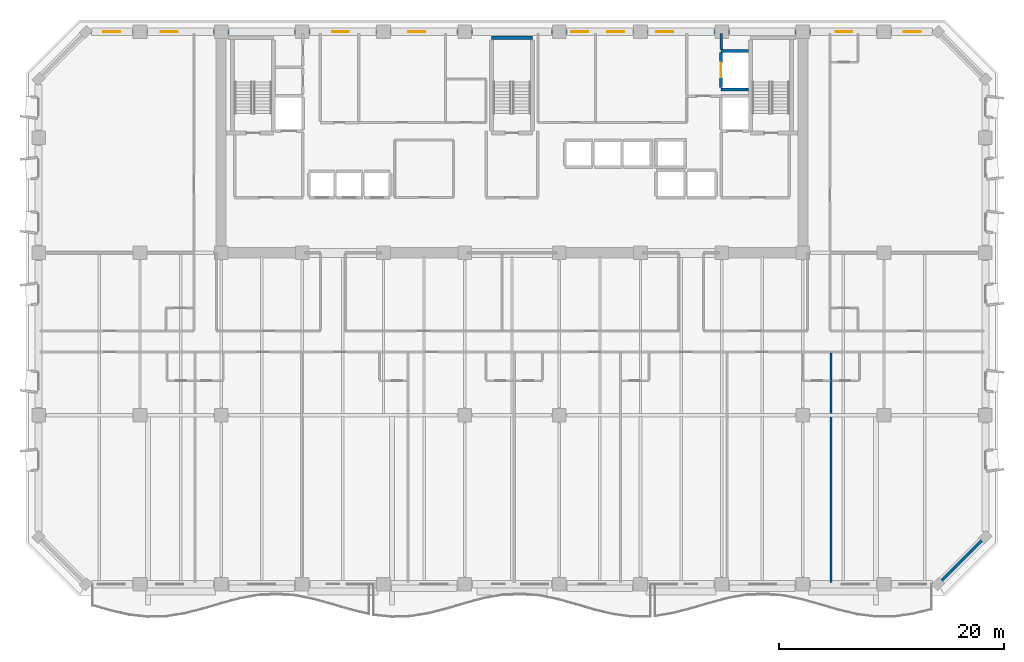
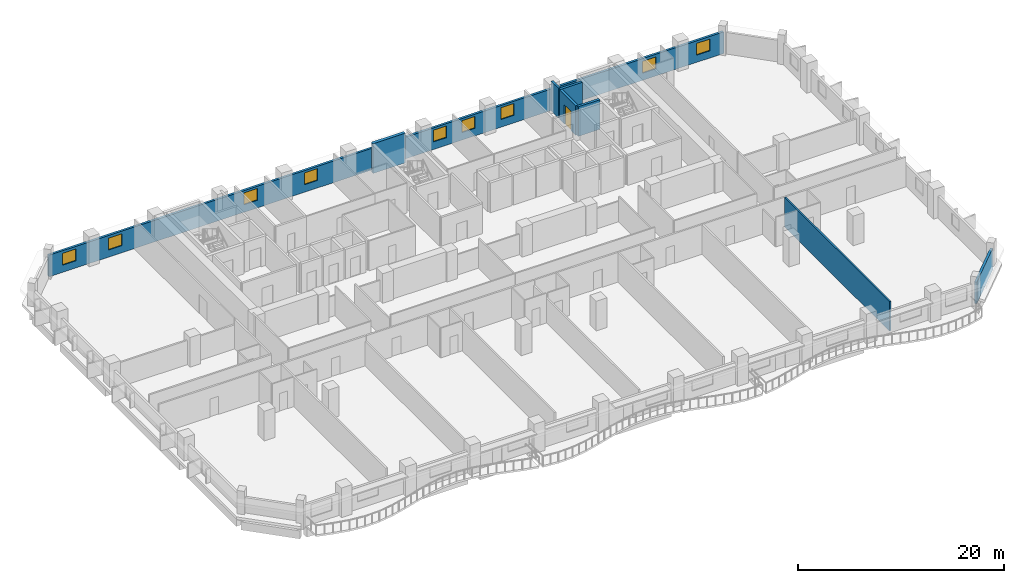
# One storey, part 8 of 14: 9 windows, 8 walls, 1 door, 10 openings.
"""IFC4 building model written with IfcOpenShell, lengths in metres."""

from ifc_helpers import new_model, si_unit, direction, frame, frame_2d, origin, place, context, subcontext, project, spatial, rectangle, extrude, material, layer, layer_set, type_object, element, fill, save


model = new_model("IFC4")

# Units and contexts
model_context = context("Model", 3, precision=1e-05, world=origin(), true_north=direction((0.0, 1.0)))
body_context = subcontext(model_context, "Body", "Model", "MODEL_VIEW")
ifc_project = project(units=[si_unit("LENGTHUNIT", "METRE"), si_unit("AREAUNIT", "SQUARE_METRE"), si_unit("VOLUMEUNIT", "CUBIC_METRE"), si_unit("PLANEANGLEUNIT", "RADIAN"), si_unit("MASSUNIT", "GRAM", prefix="KILO")], contexts=[model_context])

# Site, building, storey
site_placement = place(None, origin())
site = spatial("IfcSite", under=ifc_project, at=site_placement, CompositionType="ELEMENT")
building_placement = place(site_placement, origin())
building = spatial("IfcBuilding", under=site, at=building_placement, Name="Kaelvorn Grand Hotel", CompositionType="ELEMENT")
storey_placement = place(building_placement, frame((0.0, 0.0, 85.550048828125)))
storey = spatial("IfcBuildingStorey", under=building, at=storey_placement, Name="L19", CompositionType="ELEMENT", Elevation=85.550048828125)

# Wall
ifc_material_1 = material(Name="Concrete C40/50", Category="concrete")
ifc_layer_1 = layer(ifc_material_1, 0.260009765625)
ifc_layer_set_1 = layer_set([ifc_layer_1], Name="Concrete C40/50")
wall_type_1 = type_object("IfcWallType", Name="WL-EXT-260-C40", PredefinedType="SOLIDWALL", material=ifc_layer_set_1)
wall_1_placement = place(storey_placement, frame((79.800048828125, 0.0, 0.0), z_axis=(0.0, 0.0, 1.0), x_axis=(0.707106781187, 0.707106781187, 0.0)))
element("IfcWall", 1, at=wall_1_placement, inside=storey, type_object=wall_type_1, Name="L19 Exterior Architectural Concrete Wall 02", PredefinedType="SOLIDWALL", context=body_context, shape_type="SweptSolid", body=[
    extrude(rectangle(XDim=5.939697265625, YDim=0.260009765625, at=frame_2d((2.9697265625, 0.0))), origin(), (0.0, 0.0, 1.0), 2.56005859375),
])

# Wall, openings, windows
wall_2_placement = place(storey_placement, frame((79.800048828125, 49.0, 0.0), z_axis=(0.0, 0.0, 1.0), x_axis=(-1.0, 0.0, 0.0)))
wall_2 = element("IfcWall", 2, at=wall_2_placement, inside=storey, type_object=wall_type_1, Name="L19 Exterior Architectural Concrete Wall 05", PredefinedType="SOLIDWALL", context=body_context, shape_type="SweptSolid", body=[
    extrude(rectangle(XDim=75.60009765625, YDim=0.260009765625, at=frame_2d((37.800048828125, 0.0))), origin(), (0.0, 0.0, 1.0), 2.56005859375),
])
opening_1_placement = place(wall_2_placement, frame((72.56494140625, 0.0, 0.85009765625)))
opening_1 = element("IfcOpeningElement", 3, at=opening_1_placement, cuts=wall_2, Name="Opening W10", PredefinedType="OPENING", context=body_context, shape_type="SweptSolid", body=[
    extrude(rectangle(XDim=1.5, YDim=1.39990234375, at=frame_2d((0.75, 0.699951171875))), frame((0.0, 0.14013671875, 0.0), z_axis=(0.0, -1.0, 0.0), x_axis=(1.0, 0.0, 0.0)), (0.0, 0.0, 1.0), 0.280029296875),
])
opening_2_placement = place(wall_2_placement, frame((67.449951171875, 0.0, 0.85009765625)))
opening_2 = element("IfcOpeningElement", 4, at=opening_2_placement, cuts=wall_2, Name="Opening W10", PredefinedType="OPENING", context=body_context, shape_type="SweptSolid", body=[
    extrude(rectangle(XDim=1.5, YDim=1.39990234375, at=frame_2d((0.75, 0.699951171875))), frame((0.0, 0.14013671875, 0.0), z_axis=(0.0, -1.0, 0.0), x_axis=(1.0, 0.0, 0.0)), (0.0, 0.0, 1.0), 0.280029296875),
])
opening_3_placement = place(wall_2_placement, frame((7.60009765625, 0.0, 0.85009765625)))
opening_3 = element("IfcOpeningElement", 5, at=opening_3_placement, cuts=wall_2, Name="Opening W10", PredefinedType="OPENING", context=body_context, shape_type="SweptSolid", body=[
    extrude(rectangle(XDim=1.5, YDim=1.39990234375, at=frame_2d((0.75, 0.699951171875))), frame((0.0, 0.14013671875, 0.0), z_axis=(0.0, -1.0, 0.0), x_axis=(1.0, 0.0, 0.0)), (0.0, 0.0, 1.0), 0.280029296875),
])
opening_4_placement = place(wall_2_placement, frame((1.534912109375, 0.0, 0.85009765625)))
opening_4 = element("IfcOpeningElement", 6, at=opening_4_placement, cuts=wall_2, Name="Opening W10", PredefinedType="OPENING", context=body_context, shape_type="SweptSolid", body=[
    extrude(rectangle(XDim=1.5, YDim=1.39990234375, at=frame_2d((0.75, 0.699951171875))), frame((0.0, 0.14013671875, 0.0), z_axis=(0.0, -1.0, 0.0), x_axis=(1.0, 0.0, 0.0)), (0.0, 0.0, 1.0), 0.280029296875),
])
opening_5_placement = place(wall_2_placement, frame((52.264892578125, 0.0, 0.89990234375)))
opening_5 = element("IfcOpeningElement", 7, at=opening_5_placement, cuts=wall_2, Name="Opening W10", PredefinedType="OPENING", context=body_context, shape_type="SweptSolid", body=[
    extrude(rectangle(XDim=1.5, YDim=1.39990234375, at=frame_2d((0.75, 0.699951171875))), frame((0.0, 0.14013671875, 0.0), z_axis=(0.0, -1.0, 0.0), x_axis=(1.0, 0.0, 0.0)), (0.0, 0.0, 1.0), 0.280029296875),
])
opening_6_placement = place(wall_2_placement, frame((45.5, 0.0, 0.89990234375)))
opening_6 = element("IfcOpeningElement", 8, at=opening_6_placement, cuts=wall_2, Name="Opening W10", PredefinedType="OPENING", context=body_context, shape_type="SweptSolid", body=[
    extrude(rectangle(XDim=1.5, YDim=1.39990234375, at=frame_2d((0.75, 0.699951171875))), frame((0.0, 0.14013671875, 0.0), z_axis=(0.0, -1.0, 0.0), x_axis=(1.0, 0.0, 0.0)), (0.0, 0.0, 1.0), 0.280029296875),
])
opening_7_placement = place(wall_2_placement, frame((31.050048828125, 0.0, 0.89990234375)))
opening_7 = element("IfcOpeningElement", 9, at=opening_7_placement, cuts=wall_2, Name="Opening W10", PredefinedType="OPENING", context=body_context, shape_type="SweptSolid", body=[
    extrude(rectangle(XDim=1.5, YDim=1.39990234375, at=frame_2d((0.75, 0.699951171875))), frame((0.0, 0.14013671875, 0.0), z_axis=(0.0, -1.0, 0.0), x_axis=(1.0, 0.0, 0.0)), (0.0, 0.0, 1.0), 0.280029296875),
])
opening_8_placement = place(wall_2_placement, frame((27.85009765625, 0.0, 0.89990234375)))
opening_8 = element("IfcOpeningElement", 10, at=opening_8_placement, cuts=wall_2, Name="Opening W10", PredefinedType="OPENING", context=body_context, shape_type="SweptSolid", body=[
    extrude(rectangle(XDim=1.5, YDim=1.39990234375, at=frame_2d((0.75, 0.699951171875))), frame((0.0, 0.14013671875, 0.0), z_axis=(0.0, -1.0, 0.0), x_axis=(1.0, 0.0, 0.0)), (0.0, 0.0, 1.0), 0.280029296875),
])
opening_9_placement = place(wall_2_placement, frame((23.485107421875, 0.0, 0.89990234375)))
opening_9 = element("IfcOpeningElement", 11, at=opening_9_placement, cuts=wall_2, Name="Opening W10", PredefinedType="OPENING", context=body_context, shape_type="SweptSolid", body=[
    extrude(rectangle(XDim=1.5, YDim=1.39990234375, at=frame_2d((0.75, 0.699951171875))), frame((0.0, 0.14013671875, 0.0), z_axis=(0.0, -1.0, 0.0), x_axis=(1.0, 0.0, 0.0)), (0.0, 0.0, 1.0), 0.280029296875),
])
ifc_material_2 = material(Name="Laminated Low-E Glass", Category="glass")
window_type = type_object("IfcWindowType", Name="WIN-COR-1500x1400", PartitioningType="SINGLE_PANEL", PredefinedType="WINDOW", material=ifc_material_2)
window_1_placement = place(opening_1_placement, origin())
window_1 = element("IfcWindow", 12, at=window_1_placement, inside=storey, type_object=window_type, Name="L19 North Wing Ribbon Window NW01", OverallHeight=1.39990234375, OverallWidth=1.5, PartitioningType="SINGLE_PANEL", PredefinedType="WINDOW", context=body_context, shape_type="SweptSolid", body=[
    extrude(rectangle(XDim=1.5, YDim=1.39990234375, at=frame_2d((0.75, 0.699951171875))), frame((0.0, 0.030029296875, 0.0), z_axis=(0.0, -1.0, 0.0), x_axis=(1.0, 0.0, 0.0)), (0.0, 0.0, 1.0), 0.06005859375),
])
fill(opening_1, window_1)
window_2_placement = place(opening_2_placement, origin())
window_2 = element("IfcWindow", 13, at=window_2_placement, inside=storey, type_object=window_type, Name="L19 North Wing Ribbon Window NW02", OverallHeight=1.39990234375, OverallWidth=1.5, PartitioningType="SINGLE_PANEL", PredefinedType="WINDOW", context=body_context, shape_type="SweptSolid", body=[
    extrude(rectangle(XDim=1.5, YDim=1.39990234375, at=frame_2d((0.75, 0.699951171875))), frame((0.0, 0.030029296875, 0.0), z_axis=(0.0, -1.0, 0.0), x_axis=(1.0, 0.0, 0.0)), (0.0, 0.0, 1.0), 0.06005859375),
])
fill(opening_2, window_2)
window_3_placement = place(opening_3_placement, origin())
window_3 = element("IfcWindow", 14, at=window_3_placement, inside=storey, type_object=window_type, Name="L19 North Wing Ribbon Window NW03", OverallHeight=1.39990234375, OverallWidth=1.5, PartitioningType="SINGLE_PANEL", PredefinedType="WINDOW", context=body_context, shape_type="SweptSolid", body=[
    extrude(rectangle(XDim=1.5, YDim=1.39990234375, at=frame_2d((0.75, 0.699951171875))), frame((0.0, 0.030029296875, 0.0), z_axis=(0.0, -1.0, 0.0), x_axis=(1.0, 0.0, 0.0)), (0.0, 0.0, 1.0), 0.06005859375),
])
fill(opening_3, window_3)
window_4_placement = place(opening_4_placement, origin())
window_4 = element("IfcWindow", 15, at=window_4_placement, inside=storey, type_object=window_type, Name="L19 North Wing Ribbon Window NW04", OverallHeight=1.39990234375, OverallWidth=1.5, PartitioningType="SINGLE_PANEL", PredefinedType="WINDOW", context=body_context, shape_type="SweptSolid", body=[
    extrude(rectangle(XDim=1.5, YDim=1.39990234375, at=frame_2d((0.75, 0.699951171875))), frame((0.0, 0.030029296875, 0.0), z_axis=(0.0, -1.0, 0.0), x_axis=(1.0, 0.0, 0.0)), (0.0, 0.0, 1.0), 0.06005859375),
])
fill(opening_4, window_4)
window_5_placement = place(opening_5_placement, origin())
window_5 = element("IfcWindow", 16, at=window_5_placement, inside=storey, type_object=window_type, Name="L19 North Core Clerestory Ribbon Window NC05", OverallHeight=1.39990234375, OverallWidth=1.5, PartitioningType="SINGLE_PANEL", PredefinedType="WINDOW", context=body_context, shape_type="SweptSolid", body=[
    extrude(rectangle(XDim=1.5, YDim=1.39990234375, at=frame_2d((0.75, 0.699951171875))), frame((0.0, 0.030029296875, 0.0), z_axis=(0.0, -1.0, 0.0), x_axis=(1.0, 0.0, 0.0)), (0.0, 0.0, 1.0), 0.06005859375),
])
fill(opening_5, window_5)
window_6_placement = place(opening_6_placement, origin())
window_6 = element("IfcWindow", 17, at=window_6_placement, inside=storey, type_object=window_type, Name="L19 North Core Clerestory Ribbon Window NC06", OverallHeight=1.39990234375, OverallWidth=1.5, PartitioningType="SINGLE_PANEL", PredefinedType="WINDOW", context=body_context, shape_type="SweptSolid", body=[
    extrude(rectangle(XDim=1.5, YDim=1.39990234375, at=frame_2d((0.75, 0.699951171875))), frame((0.0, 0.030029296875, 0.0), z_axis=(0.0, -1.0, 0.0), x_axis=(1.0, 0.0, 0.0)), (0.0, 0.0, 1.0), 0.06005859375),
])
fill(opening_6, window_6)
window_7_placement = place(opening_7_placement, origin())
window_7 = element("IfcWindow", 18, at=window_7_placement, inside=storey, type_object=window_type, Name="L19 North Core Clerestory Ribbon Window NC07", OverallHeight=1.39990234375, OverallWidth=1.5, PartitioningType="SINGLE_PANEL", PredefinedType="WINDOW", context=body_context, shape_type="SweptSolid", body=[
    extrude(rectangle(XDim=1.5, YDim=1.39990234375, at=frame_2d((0.75, 0.699951171875))), frame((0.0, 0.030029296875, 0.0), z_axis=(0.0, -1.0, 0.0), x_axis=(1.0, 0.0, 0.0)), (0.0, 0.0, 1.0), 0.06005859375),
])
fill(opening_7, window_7)
window_8_placement = place(opening_8_placement, origin())
window_8 = element("IfcWindow", 19, at=window_8_placement, inside=storey, type_object=window_type, Name="L19 North Core Clerestory Ribbon Window NC08", OverallHeight=1.39990234375, OverallWidth=1.5, PartitioningType="SINGLE_PANEL", PredefinedType="WINDOW", context=body_context, shape_type="SweptSolid", body=[
    extrude(rectangle(XDim=1.5, YDim=1.39990234375, at=frame_2d((0.75, 0.699951171875))), frame((0.0, 0.030029296875, 0.0), z_axis=(0.0, -1.0, 0.0), x_axis=(1.0, 0.0, 0.0)), (0.0, 0.0, 1.0), 0.06005859375),
])
fill(opening_8, window_8)
window_9_placement = place(opening_9_placement, origin())
window_9 = element("IfcWindow", 20, at=window_9_placement, inside=storey, type_object=window_type, Name="L19 North Core Clerestory Ribbon Window NC09", OverallHeight=1.39990234375, OverallWidth=1.5, PartitioningType="SINGLE_PANEL", PredefinedType="WINDOW", context=body_context, shape_type="SweptSolid", body=[
    extrude(rectangle(XDim=1.5, YDim=1.39990234375, at=frame_2d((0.75, 0.699951171875))), frame((0.0, 0.030029296875, 0.0), z_axis=(0.0, -1.0, 0.0), x_axis=(1.0, 0.0, 0.0)), (0.0, 0.0, 1.0), 0.06005859375),
])
fill(opening_9, window_9)

# Walls
ifc_material_3 = material(Name="Acoustic Gypsum & Stud Partition")
ifc_layer_2 = layer(ifc_material_3, 0.179931640625)
ifc_layer_set_2 = layer_set([ifc_layer_2], Name="Acoustic Gypsum & Stud Partition")
wall_type_2 = type_object("IfcWallType", Name="WL-PART-180-EI60", PredefinedType="PARTITIONING", material=ifc_layer_set_2)
wall_3_placement = place(storey_placement, frame((70.31298828125, 0.14990234375, 0.0), z_axis=(0.0, 0.0, 1.0), x_axis=(0.0, 1.0, 0.0)))
element("IfcWall", 21, at=wall_3_placement, inside=storey, type_object=wall_type_2, Name="L19 Deluxe Panoramic Suite L19-07 E Partition", PredefinedType="PARTITIONING", context=body_context, shape_type="SweptSolid", body=[
    extrude(rectangle(XDim=20.35498046875, YDim=0.179931640625, at=frame_2d((10.177490234375, 0.0))), origin(), (0.0, 0.0, 1.0), 3.510009765625),
])
ifc_layer_3 = layer(ifc_material_1, 0.219970703125)
ifc_layer_set_3 = layer_set([ifc_layer_3], Name="Concrete C40/50")
wall_type_3 = type_object("IfcWallType", Name="WL-PART-220-EI120", PredefinedType="PARTITIONING", material=ifc_layer_set_3)
wall_4_placement = place(storey_placement, frame((60.550048828125, 47.445068359375, 0.0), z_axis=(0.0, 0.0, 1.0), x_axis=(0.0, 1.0, 0.0)))
element("IfcWall", 22, at=wall_4_placement, inside=storey, type_object=wall_type_3, Name="L19 Service Lift Lobby E Partition", PredefinedType="PARTITIONING", context=body_context, shape_type="SweptSolid", body=[
    extrude(rectangle(XDim=1.405029296875, YDim=0.219970703125, at=frame_2d((0.70263671875, 0.0))), origin(), (0.0, 0.0, 1.0), 3.510009765625),
])
ifc_material_4 = material(Name="Concrete C50/60", Category="concrete")
ifc_layer_4 = layer(ifc_material_4, 0.280029296875)
ifc_layer_set_4 = layer_set([ifc_layer_4], Name="Concrete C50/60")
wall_type_4 = type_object("IfcWallType", Name="WL-SHAFT-280-C50", PredefinedType="SHEAR", material=ifc_layer_set_4)
for number, where, z_axis, x_axis, name in (
    (23, (60.550048828125, 43.89990234375, 0.0), (0.0, 0.0, 1.0), (1.0, 0.0, 0.0), "L19 Lift SV1 Shaft South Wall"),
    (24, (60.550048828125, 47.300048828125, 0.0), (0.0, 0.0, 1.0), (1.0, 0.0, 0.0), "L19 Lift SV1 Shaft North Wall"),
):
    element("IfcWall", number, at=place(storey_placement, frame(where, z_axis=z_axis, x_axis=x_axis)), inside=storey, type_object=wall_type_4, Name=name, PredefinedType="SHEAR", context=body_context, shape_type="SweptSolid", body=[
        extrude(rectangle(XDim=2.4150390625, YDim=0.280029296875, at=frame_2d((1.20751953125, 0.0))), origin(), (0.0, 0.0, 1.0), 3.510009765625),
    ])

# Wall, opening, door
wall_5_placement = place(storey_placement, frame((60.550048828125, 44.044921875, 0.0), z_axis=(0.0, 0.0, 1.0), x_axis=(0.0, 1.0, 0.0)))
wall_5 = element("IfcWall", 25, at=wall_5_placement, inside=storey, type_object=wall_type_4, Name="L19 Lift SV1 Shaft West Wall", PredefinedType="SHEAR", context=body_context, shape_type="SweptSolid", body=[
    extrude(rectangle(XDim=3.110107421875, YDim=0.280029296875, at=frame_2d((1.55517578125, 0.0))), origin(), (0.0, 0.0, 1.0), 3.510009765625),
])
opening_10_placement = place(wall_5_placement, frame((0.905029296875, 0.0, 0.0)))
opening_10 = element("IfcOpeningElement", 26, at=opening_10_placement, cuts=wall_5, Name="Opening LD-SV1", PredefinedType="OPENING", context=body_context, shape_type="SweptSolid", body=[
    extrude(rectangle(XDim=1.300048828125, YDim=2.300048828125, at=frame_2d((0.64990234375, 1.14990234375))), frame((0.0, 0.14990234375, 0.0), z_axis=(0.0, -1.0, 0.0), x_axis=(1.0, 0.0, 0.0)), (0.0, 0.0, 1.0), 0.300048828125),
])
ifc_material_5 = material(Name="Stainless Steel", Category="steel")
door_type = type_object("IfcDoorType", Name="DR-LIFT-SERV-1300x2300", OperationType="DOUBLE_DOOR_SLIDING", PredefinedType="DOOR", material=ifc_material_5)
door_placement = place(opening_10_placement, origin())
door = element("IfcDoor", 27, at=door_placement, inside=storey, type_object=door_type, Name="L19 Lift SV1 Sliding Landing Door LD-SV1", OperationType="DOUBLE_DOOR_SLIDING", OverallHeight=2.300048828125, OverallWidth=1.300048828125, PredefinedType="DOOR", context=body_context, shape_type="SweptSolid", body=[
    extrude(rectangle(XDim=1.300048828125, YDim=2.300048828125, at=frame_2d((0.64990234375, 1.14990234375))), frame((0.0, 0.02490234375, 0.0), z_axis=(0.0, -1.0, 0.0), x_axis=(1.0, 0.0, 0.0)), (0.0, 0.0, 1.0), 0.050048828125),
])
fill(opening_10, door)

# Wall
ifc_material_6 = material(Name="Concrete C60/75", Category="concrete")
ifc_layer_5 = layer(ifc_material_6, 0.35009765625)
ifc_layer_set_5 = layer_set([ifc_layer_5], Name="Concrete C60/75")
wall_type_5 = type_object("IfcWallType", Name="WL-SHAFT-350-C60", PredefinedType="SHEAR", material=ifc_layer_set_5)
wall_6_placement = place(storey_placement, frame((40.18505859375, 48.47509765625, 0.0), z_axis=(0.0, 0.0, 1.0), x_axis=(1.0, 0.0, 0.0)))
element("IfcWall", 28, at=wall_6_placement, inside=storey, type_object=wall_type_5, Name="L19 ST2 Stair Shaft North Wall", PredefinedType="SHEAR", context=body_context, shape_type="SweptSolid", body=[
    extrude(rectangle(XDim=3.6298828125, YDim=0.35009765625, at=frame_2d((1.81494140625, 0.0))), origin(), (0.0, 0.0, 1.0), 3.510009765625),
])

save(model, "model.ifc")
